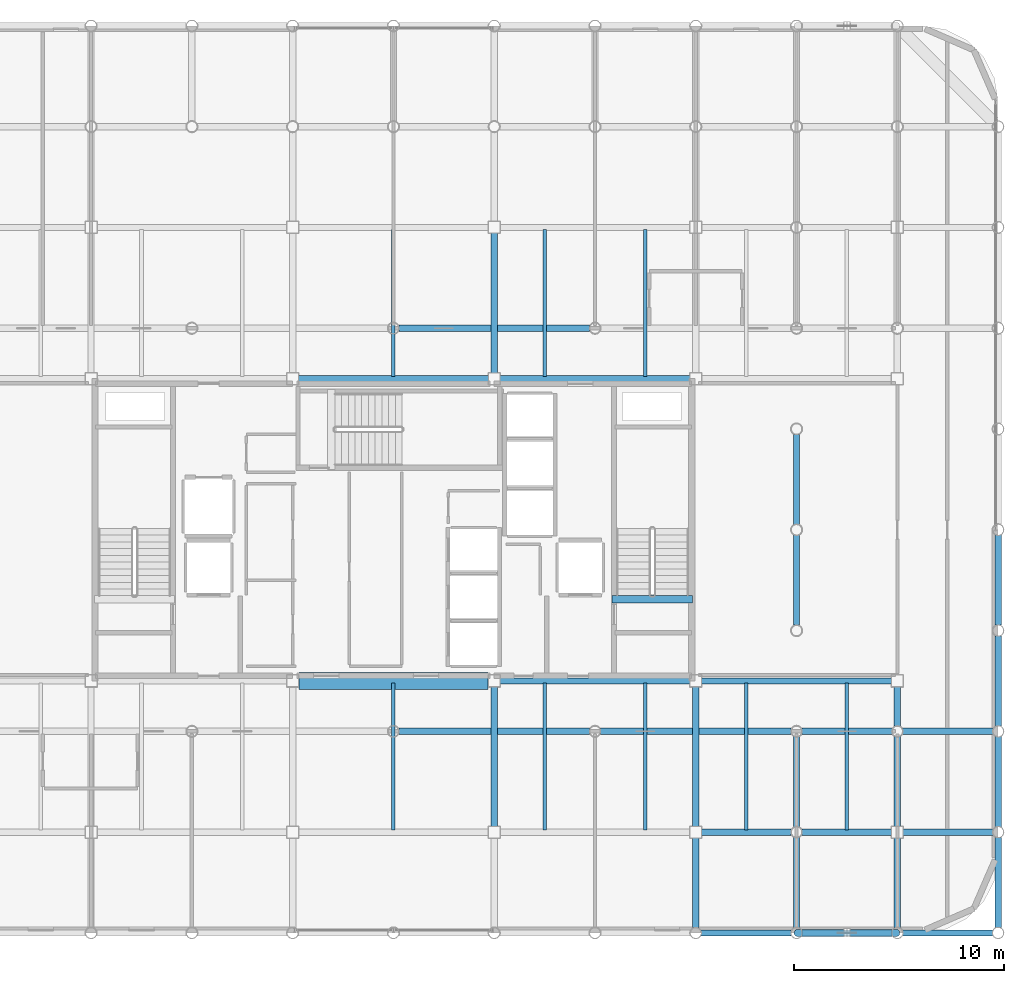
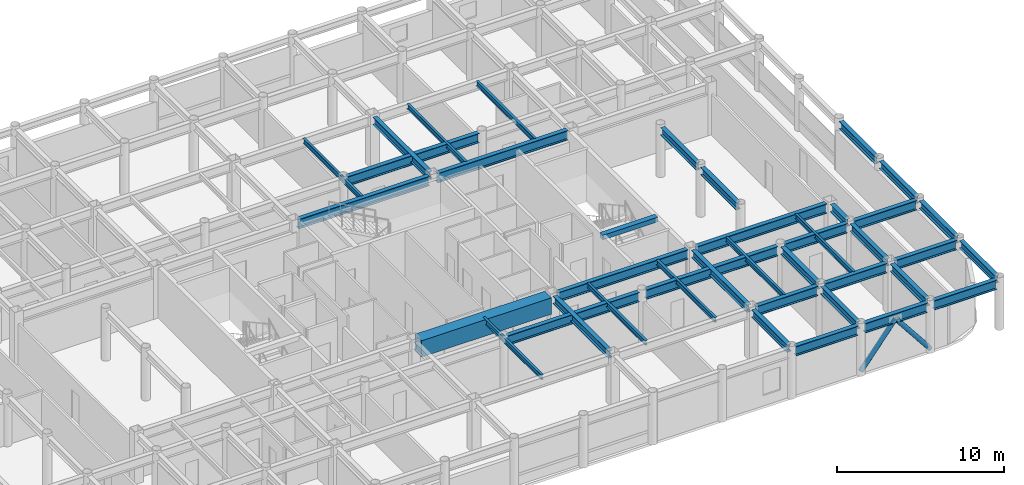
# One storey, part 9 of 22: 40 beams, 2 members.
"""IFC4 building model written with IfcOpenShell, lengths in metres."""

from ifc_helpers import new_model, si_unit, direction, frame, origin, origin_2d, place, context, subcontext, project, spatial, rectangle, hollow_circle, i_section, extrude, material, material_profile, profile_set, type_object, element, save


model = new_model("IFC4")

# Units and contexts
model_context = context("Model", 3, precision=1e-05, world=origin(), true_north=direction((0.0, 1.0)))
body_context = subcontext(model_context, "Body", "Model", "MODEL_VIEW")
ifc_project = project(units=[si_unit("LENGTHUNIT", "METRE"), si_unit("AREAUNIT", "SQUARE_METRE"), si_unit("VOLUMEUNIT", "CUBIC_METRE"), si_unit("PLANEANGLEUNIT", "RADIAN"), si_unit("MASSUNIT", "GRAM", prefix="KILO")], contexts=[model_context])

# Site, building, storey
site_placement = place(None, origin())
site = spatial("IfcSite", under=ifc_project, at=site_placement, CompositionType="ELEMENT")
building_placement = place(site_placement, origin())
building = spatial("IfcBuilding", under=site, at=building_placement, Name="Kallvorn Hotel Tower", CompositionType="ELEMENT")
storey_placement = place(building_placement, frame((0.0, 0.0, 260.800048828125)))
storey = spatial("IfcBuildingStorey", under=building, at=storey_placement, Name="L65", CompositionType="ELEMENT", Elevation=260.800048828125)

# Beams
ifc_material_1 = material(Name="Structural steel S355JR", Category="steel")
ifc_material_profile_1 = material_profile(ifc_material_1, i_section(OverallWidth=0.300048828125, OverallDepth=0.550048828125, WebThickness=0.014892578125, FlangeThickness=0.029052734375, at=origin_2d()), Name="HE 550 B")
ifc_profile_set_1 = profile_set([ifc_material_profile_1], Name="Structural steel S355JR")
beam_type_1 = type_object("IfcBeamType", Name="BM_HE550B", PredefinedType="SPANDREL", material=ifc_profile_set_1)
for number, where, z_axis, x_axis, name in (
    (1, (4.800048828125, -14.125, 3.39501953125), (0.0, 1.0, 0.0), (-1.0, 0.0, 0.0), "L66 Primary Y-Girder 115"),
    (2, (4.800048828125, 7.47509765625, 3.39501953125), (0.0, 1.0, 0.0), (-1.0, 0.0, 0.0), "L66 Primary Y-Girder 116"),
):
    element("IfcBeam", number, at=place(storey_placement, frame(where, z_axis=z_axis, x_axis=x_axis)), inside=storey, type_object=beam_type_1, Name=name, PredefinedType="SPANDREL", context=body_context, shape_type="SweptSolid", body=[
        extrude(i_section(OverallWidth=0.300048828125, OverallDepth=0.550048828125, WebThickness=0.014892578125, FlangeThickness=0.029052734375, at=origin_2d()), origin(), (0.0, 0.0, 1.0), 6.64990234375),
    ])
beam_1_placement = place(storey_placement, frame((14.39990234375, -18.945556640625, 3.39501953125), z_axis=(0.0, 1.0, 0.0), x_axis=(-1.0, 0.0, 0.0)))
element("IfcBeam", 3, at=beam_1_placement, inside=storey, type_object=beam_type_1, Name="L66 Primary Y-Girder 122", PredefinedType="SPANDREL", context=body_context, shape_type="SweptSolid", body=[
    extrude(i_section(OverallWidth=0.300048828125, OverallDepth=0.550048828125, WebThickness=0.014892578125, FlangeThickness=0.029052734375, at=origin_2d()), origin(), (0.0, 0.0, 1.0), 4.2705078125),
])
beam_2_placement = place(storey_placement, frame((14.39990234375, -14.125, 3.39501953125), z_axis=(0.0, 1.0, 0.0), x_axis=(-1.0, 0.0, 0.0)))
element("IfcBeam", 4, at=beam_2_placement, inside=storey, type_object=beam_type_1, Name="L66 Primary Y-Girder 123", PredefinedType="SPANDREL", context=body_context, shape_type="SweptSolid", body=[
    extrude(i_section(OverallWidth=0.300048828125, OverallDepth=0.550048828125, WebThickness=0.014892578125, FlangeThickness=0.029052734375, at=origin_2d()), origin(), (0.0, 0.0, 1.0), 6.64990234375),
])
for number, where, z_axis, x_axis, name in (
    (5, (19.199951171875, -18.945556640625, 3.39501953125), (0.0, 1.0, 0.0), (-1.0, 0.0, 0.0), "L66 Primary Y-Girder 127"),
    (6, (19.199951171875, -14.1455078125, 3.39501953125), (0.0, 1.0, 0.0), (-1.0, 0.0, 0.0), "L66 Primary Y-Girder 128"),
    (7, (19.199951171875, -4.54541015625, 3.39501953125), (0.0, 1.0, 0.0), (-1.0, 0.0, 0.0), "L66 Primary Y-Girder 130"),
    (8, (19.199951171875, 0.25439453125, 3.39501953125), (0.0, 1.0, 0.0), (-1.0, 0.0, 0.0), "L66 Primary Y-Girder 131"),
):
    element("IfcBeam", number, at=place(storey_placement, frame(where, z_axis=z_axis, x_axis=x_axis)), inside=storey, type_object=beam_type_1, Name=name, PredefinedType="SPANDREL", context=body_context, shape_type="SweptSolid", body=[
        extrude(i_section(OverallWidth=0.300048828125, OverallDepth=0.550048828125, WebThickness=0.014892578125, FlangeThickness=0.029052734375, at=origin_2d()), origin(), (0.0, 0.0, 1.0), 4.291015625),
    ])
for number, where, z_axis, x_axis, name in (
    (9, (24.0, -18.945556640625, 3.39501953125), (0.0, 1.0, 0.0), (-1.0, 0.0, 0.0), "L66 Primary Y-Girder 136"),
    (10, (24.0, -14.125, 3.39501953125), (0.0, 1.0, 0.0), (-1.0, 0.0, 0.0), "L66 Primary Y-Girder 137"),
):
    element("IfcBeam", number, at=place(storey_placement, frame(where, z_axis=z_axis, x_axis=x_axis)), inside=storey, type_object=beam_type_1, Name=name, PredefinedType="SPANDREL", context=body_context, shape_type="SweptSolid", body=[
        extrude(i_section(OverallWidth=0.300048828125, OverallDepth=0.550048828125, WebThickness=0.014892578125, FlangeThickness=0.029052734375, at=origin_2d()), origin(), (0.0, 0.0, 1.0), 4.2705078125),
    ])
beam_3_placement = place(storey_placement, frame((24.0, -9.345458984375, 3.39501953125), z_axis=(0.0, 1.0, 0.0), x_axis=(-1.0, 0.0, 0.0)))
element("IfcBeam", 11, at=beam_3_placement, inside=storey, type_object=beam_type_1, Name="L66 Primary Y-Girder 138", PredefinedType="SPANDREL", context=body_context, shape_type="SweptSolid", body=[
    extrude(i_section(OverallWidth=0.300048828125, OverallDepth=0.550048828125, WebThickness=0.014892578125, FlangeThickness=0.029052734375, at=origin_2d()), origin(), (0.0, 0.0, 1.0), 1.870361328125),
])
for number, where, z_axis, x_axis, name in (
    (12, (28.800048828125, -18.945556640625, 3.39501953125), (0.0, 1.0, 0.0), (-1.0, 0.0, 0.0), "L66 Primary Y-Girder 143"),
    (13, (28.800048828125, -14.1455078125, 3.39501953125), (0.0, 1.0, 0.0), (-1.0, 0.0, 0.0), "L66 Primary Y-Girder 144"),
    (14, (28.800048828125, -9.345458984375, 3.39501953125), (0.0, 1.0, 0.0), (-1.0, 0.0, 0.0), "L66 Primary Y-Girder 145"),
    (15, (28.800048828125, -4.54541015625, 3.39501953125), (0.0, 1.0, 0.0), (-1.0, 0.0, 0.0), "L66 Primary Y-Girder 146"),
):
    element("IfcBeam", number, at=place(storey_placement, frame(where, z_axis=z_axis, x_axis=x_axis)), inside=storey, type_object=beam_type_1, Name=name, PredefinedType="SPANDREL", context=body_context, shape_type="SweptSolid", body=[
        extrude(i_section(OverallWidth=0.300048828125, OverallDepth=0.550048828125, WebThickness=0.014892578125, FlangeThickness=0.029052734375, at=origin_2d()), origin(), (0.0, 0.0, 1.0), 4.291015625),
    ])
ifc_material_2 = material(Name="Structural steel S355JR", Category="steel")
ifc_material_profile_2 = material_profile(ifc_material_2, i_section(OverallWidth=0.300048828125, OverallDepth=0.699951171875, WebThickness=0.01708984375, FlangeThickness=0.031982421875, at=origin_2d()), Name="HE 700 B")
ifc_profile_set_2 = profile_set([ifc_material_profile_2], Name="Structural steel S355JR")
beam_type_2 = type_object("IfcBeamType", Name="BM_HE700B", PredefinedType="BEAM", material=ifc_profile_set_2)
for number, where, z_axis, x_axis, name in (
    (16, (14.654541015625, -19.199951171875, 3.320068359375), (1.0, 0.0, 0.0), (0.0, 1.0, 0.0), "L66 Primary X-Girder 10"),
    (17, (19.45458984375, -19.199951171875, 3.320068359375), (1.0, 0.0, 0.0), (0.0, 1.0, 0.0), "L66 Primary X-Girder 11"),
    (18, (24.25439453125, -19.199951171875, 3.320068359375), (1.0, 0.0, 0.0), (0.0, 1.0, 0.0), "L66 Primary X-Girder 12"),
):
    element("IfcBeam", number, at=place(storey_placement, frame(where, z_axis=z_axis, x_axis=x_axis)), inside=storey, type_object=beam_type_2, Name=name, PredefinedType="BEAM", context=body_context, shape_type="SweptSolid", body=[
        extrude(i_section(OverallWidth=0.300048828125, OverallDepth=0.699951171875, WebThickness=0.01708984375, FlangeThickness=0.031982421875, at=origin_2d()), origin(), (0.0, 0.0, 1.0), 4.291015625),
    ])
for number, where, z_axis, x_axis, name in (
    (19, (14.675048828125, -14.39990234375, 3.320068359375), (1.0, 0.0, 0.0), (0.0, 1.0, 0.0), "L66 Primary X-Girder 20"),
    (20, (19.45458984375, -14.39990234375, 3.320068359375), (1.0, 0.0, 0.0), (0.0, 1.0, 0.0), "L66 Primary X-Girder 21"),
    (21, (24.27490234375, -14.39990234375, 3.320068359375), (1.0, 0.0, 0.0), (0.0, 1.0, 0.0), "L66 Primary X-Girder 22"),
):
    element("IfcBeam", number, at=place(storey_placement, frame(where, z_axis=z_axis, x_axis=x_axis)), inside=storey, type_object=beam_type_2, Name=name, PredefinedType="BEAM", context=body_context, shape_type="SweptSolid", body=[
        extrude(i_section(OverallWidth=0.300048828125, OverallDepth=0.699951171875, WebThickness=0.01708984375, FlangeThickness=0.031982421875, at=origin_2d()), origin(), (0.0, 0.0, 1.0), 4.2705078125),
    ])
for number, where, z_axis, x_axis, name in (
    (22, (0.25439453125, -9.60009765625, 3.320068359375), (1.0, 0.0, 0.0), (0.0, 1.0, 0.0), "L66 Primary X-Girder 28"),
    (23, (9.8544921875, -9.60009765625, 3.320068359375), (1.0, 0.0, 0.0), (0.0, 1.0, 0.0), "L66 Primary X-Girder 29"),
):
    element("IfcBeam", number, at=place(storey_placement, frame(where, z_axis=z_axis, x_axis=x_axis)), inside=storey, type_object=beam_type_2, Name=name, PredefinedType="BEAM", context=body_context, shape_type="SweptSolid", body=[
        extrude(i_section(OverallWidth=0.300048828125, OverallDepth=0.699951171875, WebThickness=0.01708984375, FlangeThickness=0.031982421875, at=origin_2d()), origin(), (0.0, 0.0, 1.0), 9.091064453125),
    ])
for number, where, z_axis, x_axis, name in (
    (24, (19.45458984375, -9.60009765625, 3.320068359375), (1.0, 0.0, 0.0), (0.0, 1.0, 0.0), "L66 Primary X-Girder 30"),
    (25, (24.25439453125, -9.60009765625, 3.320068359375), (1.0, 0.0, 0.0), (0.0, 1.0, 0.0), "L66 Primary X-Girder 31"),
):
    element("IfcBeam", number, at=place(storey_placement, frame(where, z_axis=z_axis, x_axis=x_axis)), inside=storey, type_object=beam_type_2, Name=name, PredefinedType="BEAM", context=body_context, shape_type="SweptSolid", body=[
        extrude(i_section(OverallWidth=0.300048828125, OverallDepth=0.699951171875, WebThickness=0.01708984375, FlangeThickness=0.031982421875, at=origin_2d()), origin(), (0.0, 0.0, 1.0), 4.291015625),
    ])
for number, where, z_axis, x_axis, name in (
    (26, (5.074951171875, -7.199951171875, 3.320068359375), (1.0, 0.0, 0.0), (0.0, 1.0, 0.0), "L66 Primary X-Girder 34"),
    (27, (14.675048828125, -7.199951171875, 3.320068359375), (1.0, 0.0, 0.0), (0.0, 1.0, 0.0), "L66 Primary X-Girder 35"),
):
    element("IfcBeam", number, at=place(storey_placement, frame(where, z_axis=z_axis, x_axis=x_axis)), inside=storey, type_object=beam_type_2, Name=name, PredefinedType="BEAM", context=body_context, shape_type="SweptSolid", body=[
        extrude(i_section(OverallWidth=0.300048828125, OverallDepth=0.699951171875, WebThickness=0.01708984375, FlangeThickness=0.031982421875, at=origin_2d()), origin(), (0.0, 0.0, 1.0), 9.050048828125),
    ])
beam_4_placement = place(storey_placement, frame((-4.52490234375, 7.199951171875, 3.320068359375), z_axis=(1.0, 0.0, 0.0), x_axis=(0.0, 1.0, 0.0)))
element("IfcBeam", 28, at=beam_4_placement, inside=storey, type_object=beam_type_2, Name="L66 Primary X-Girder 38", PredefinedType="BEAM", context=body_context, shape_type="SweptSolid", body=[
    extrude(i_section(OverallWidth=0.300048828125, OverallDepth=0.699951171875, WebThickness=0.01708984375, FlangeThickness=0.031982421875, at=origin_2d()), origin(), (0.0, 0.0, 1.0), 9.0498046875),
])
beam_5_placement = place(storey_placement, frame((5.074951171875, 7.199951171875, 3.320068359375), z_axis=(1.0, 0.0, 0.0), x_axis=(0.0, 1.0, 0.0)))
element("IfcBeam", 29, at=beam_5_placement, inside=storey, type_object=beam_type_2, Name="L66 Primary X-Girder 39", PredefinedType="BEAM", context=body_context, shape_type="SweptSolid", body=[
    extrude(i_section(OverallWidth=0.300048828125, OverallDepth=0.699951171875, WebThickness=0.01708984375, FlangeThickness=0.031982421875, at=origin_2d()), origin(), (0.0, 0.0, 1.0), 9.050048828125),
])
beam_6_placement = place(storey_placement, frame((0.25439453125, 9.60009765625, 3.320068359375), z_axis=(1.0, 0.0, 0.0), x_axis=(0.0, 1.0, 0.0)))
element("IfcBeam", 30, at=beam_6_placement, inside=storey, type_object=beam_type_2, Name="L66 Primary X-Girder 46", PredefinedType="BEAM", context=body_context, shape_type="SweptSolid", body=[
    extrude(i_section(OverallWidth=0.300048828125, OverallDepth=0.699951171875, WebThickness=0.01708984375, FlangeThickness=0.031982421875, at=origin_2d()), origin(), (0.0, 0.0, 1.0), 9.091064453125),
])
ifc_material_3 = material(Name="Structural steel S355JR", Category="steel")
ifc_material_profile_3 = material_profile(ifc_material_3, i_section(OverallWidth=0.169921875, OverallDepth=0.360107421875, WebThickness=0.008056640625, FlangeThickness=0.0126953125, at=origin_2d()), Name="IPE 360")
ifc_profile_set_3 = profile_set([ifc_material_profile_3], Name="Structural steel S355JR")
beam_type_3 = type_object("IfcBeamType", Name="BM_IPE360", PredefinedType="JOIST", material=ifc_profile_set_3)
for number, where, z_axis, x_axis, name in (
    (31, (0.0, -14.300048828125, 3.489990234375), (0.0, 1.0, 0.0), (-1.0, 0.0, 0.0), "L66 Secondary Composite Joist 200"),
    (32, (0.0, 7.300048828125, 3.489990234375), (0.0, 1.0, 0.0), (-1.0, 0.0, 0.0), "L66 Secondary Composite Joist 201"),
    (33, (7.199951171875, -14.300048828125, 3.489990234375), (0.0, 1.0, 0.0), (-1.0, 0.0, 0.0), "L66 Secondary Composite Joist 202"),
    (34, (7.199951171875, 7.300048828125, 3.489990234375), (0.0, 1.0, 0.0), (-1.0, 0.0, 0.0), "L66 Secondary Composite Joist 203"),
    (35, (12.0, -14.300048828125, 3.489990234375), (0.0, 1.0, 0.0), (-1.0, 0.0, 0.0), "L66 Secondary Composite Joist 204"),
    (36, (12.0, 7.300048828125, 3.489990234375), (0.0, 1.0, 0.0), (-1.0, 0.0, 0.0), "L66 Secondary Composite Joist 205"),
    (37, (16.800048828125, -14.300048828125, 3.489990234375), (0.0, 1.0, 0.0), (-1.0, 0.0, 0.0), "L66 Secondary Composite Joist 206"),
    (38, (21.60009765625, -14.300048828125, 3.489990234375), (0.0, 1.0, 0.0), (-1.0, 0.0, 0.0), "L66 Secondary Composite Joist 208"),
):
    element("IfcBeam", number, at=place(storey_placement, frame(where, z_axis=z_axis, x_axis=x_axis)), inside=storey, type_object=beam_type_3, Name=name, PredefinedType="JOIST", context=body_context, shape_type="SweptSolid", body=[
        extrude(i_section(OverallWidth=0.169921875, OverallDepth=0.360107421875, WebThickness=0.008056640625, FlangeThickness=0.0126953125, at=origin_2d()), origin(), (0.0, 0.0, 1.0), 7.0),
    ])
ifc_material_4 = material(Name="Concrete C50/60", Category="concrete")
ifc_material_profile_4 = material_profile(ifc_material_4, rectangle(XDim=0.360107421875, YDim=0.340087890625, at=origin_2d()), Name="RC 360x340")
ifc_profile_set_4 = profile_set([ifc_material_profile_4], Name="Concrete C50/60")
beam_type_4 = type_object("IfcBeamType", Name="BM_RC_400x360", PredefinedType="BEAM", material=ifc_profile_set_4)
beam_7_placement = place(storey_placement, frame((14.239990234375, -3.31005859375, 3.5), z_axis=(-1.0, 0.0, 0.0), x_axis=(0.0, -1.0, 0.0)))
element("IfcBeam", 39, at=beam_7_placement, inside=storey, type_object=beam_type_4, Name="L66 Stair ST2 Arrival Trimmer Beam", PredefinedType="BEAM", context=body_context, shape_type="SweptSolid", body=[
    extrude(rectangle(XDim=0.360107421875, YDim=0.340087890625, at=origin_2d()), origin(), (0.0, 0.0, 1.0), 3.820068359375),
])
ifc_material_5 = material(Name="Concrete C50/60", Category="concrete")
ifc_material_profile_5 = material_profile(ifc_material_5, rectangle(XDim=0.800048828125, YDim=1.199951171875, at=origin_2d()), Name="RC 800x1200")
ifc_profile_set_5 = profile_set([ifc_material_profile_5], Name="Concrete C50/60")
beam_type_5 = type_object("IfcBeamType", Name="BM_RC_800x1200", PredefinedType="T_BEAM", material=ifc_profile_set_5)
beam_8_placement = place(storey_placement, frame((-4.5, -7.199951171875, 3.070068359375), z_axis=(1.0, 0.0, 0.0), x_axis=(0.0, 1.0, 0.0)))
element("IfcBeam", 40, at=beam_8_placement, inside=storey, type_object=beam_type_5, Name="L65 Core Coupling Beam South", PredefinedType="T_BEAM", context=body_context, shape_type="SweptSolid", body=[
    extrude(rectangle(XDim=0.800048828125, YDim=1.199951171875, at=origin_2d()), origin(), (0.0, 0.0, 1.0), 9.0),
])

# Members
ifc_material_6 = material(Name="Structural steel S355J2H", Category="steel")
ifc_material_profile_6 = material_profile(ifc_material_6, hollow_circle(Radius=0.161865234375, WallThickness=0.012451171875, at=origin_2d()), Name="CHS 323.9x12.5")
ifc_profile_set_6 = profile_set([ifc_material_profile_6], Name="Structural steel S355J2H")
member_type = type_object("IfcMemberType", Name="MBR_EXO_CHS323", PredefinedType="BRACE", material=ifc_profile_set_6)
for number, where, z_axis, x_axis, name in (
    (41, (19.21240234375, -19.199951171875, 0.195556640625), (0.62089744796, 0.0, 0.783891803196), (0.0, 1.0, 0.0), "L65 Exoskeleton K-Brace S2A"),
    (42, (23.987548828125, -19.199951171875, 0.195556640625), (-0.62089744796, 0.0, 0.783891803196), (0.0, -1.0, 0.0), "L65 Exoskeleton K-Brace S2B"),
):
    element("IfcMember", number, at=place(storey_placement, frame(where, z_axis=z_axis, x_axis=x_axis)), inside=storey, type_object=member_type, Name=name, PredefinedType="BRACE", context=body_context, shape_type="SweptSolid", body=[
        extrude(hollow_circle(Radius=0.161865234375, WallThickness=0.012451171875, at=origin_2d()), origin(), (0.0, 0.0, 1.0), 3.825439453125),
    ])

save(model, "model.ifc")
